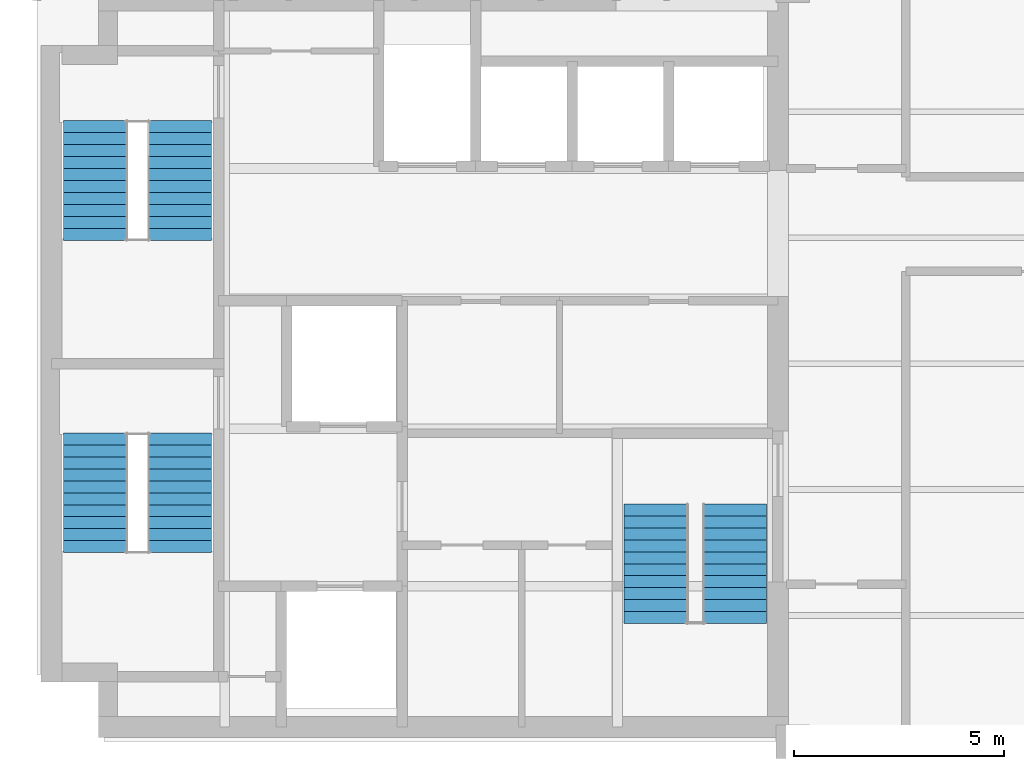
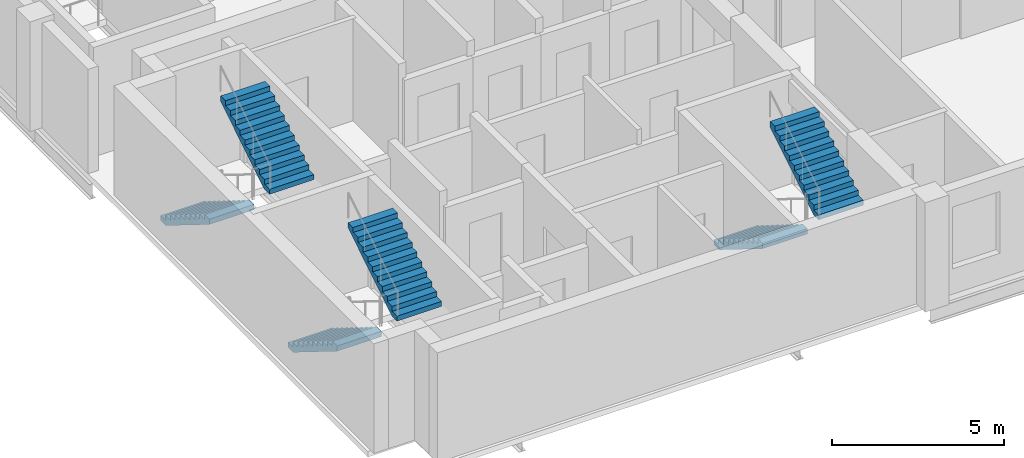
# One storey, part 5 of 6: 6 stair flights, 3 elements without a shape of their own.
"""IFC4 building model written with IfcOpenShell, lengths in metres."""

from ifc_helpers import new_model, si_unit, direction, frame, origin, place, context, subcontext, project, spatial, polyline, outline, extrude, material, type_object, element, aggregate, save


model = new_model("IFC4")

# Units and contexts
model_context = context("Model", 3, precision=1e-05, world=origin(), true_north=direction((0.0, 1.0)))
body_context = subcontext(model_context, "Body", "Model", "MODEL_VIEW")
ifc_project = project(units=[si_unit("LENGTHUNIT", "METRE"), si_unit("AREAUNIT", "SQUARE_METRE"), si_unit("VOLUMEUNIT", "CUBIC_METRE"), si_unit("PLANEANGLEUNIT", "RADIAN"), si_unit("MASSUNIT", "GRAM", prefix="KILO")], contexts=[model_context])

# Site, building, storey
site_placement = place(None, origin())
site = spatial("IfcSite", under=ifc_project, at=site_placement, CompositionType="ELEMENT")
building_placement = place(site_placement, origin())
building = spatial("IfcBuilding", under=site, at=building_placement, Name="Mawjdan Bourse Tower", CompositionType="ELEMENT")
storey_placement = place(building_placement, frame((0.0, 0.0, 250.800048828125)))
storey = spatial("IfcBuildingStorey", under=building, at=storey_placement, Name="L61", CompositionType="ELEMENT", Elevation=250.800048828125)

# Stair, stair flights
ifc_material = material(Name="Concrete C50/60", Category="concrete")
stair_type = type_object("IfcStairType", Name="STR-CORE-1500", PredefinedType="HALF_TURN_STAIR", material=ifc_material)
stair_1_placement = place(storey_placement, origin())
stair_1 = element("IfcStair", 1, at=stair_1_placement, inside=storey, type_object=stair_type, Name="L61 Exit Stair 1 (Core South-West)", PredefinedType="HALF_TURN_STAIR")
stair_flight_type = type_object("IfcStairFlightType", Name="SFL-RC-1500", PredefinedType="STRAIGHT", material=ifc_material)
stair_flight_1_placement = place(storey_placement, frame((7.389892578125, 10.35009765625, 0.0), z_axis=(0.0, 0.0, 1.0), x_axis=(0.0, -1.0, 0.0)))
stair_flight_1 = element("IfcStairFlight", 2, at=stair_flight_1_placement, type_object=stair_flight_type, Name="ST1-L61 flight 1", NumberOfRisers=11, NumberOfTreads=10, PredefinedType="STRAIGHT", RiserHeight=0.177273, TreadLength=0.285, context=body_context, shape_type="SweptSolid", body=[
    extrude(outline(polyline([(0.0, 0.0), (0.0, 0.17724609375), (0.284912109375, 0.17724609375), (0.284912109375, 0.3544921875), (0.570068359375, 0.3544921875), (0.570068359375, 0.53173828125), (0.85498046875, 0.53173828125), (0.85498046875, 0.708984375), (1.139892578125, 0.708984375), (1.139892578125, 0.886474609375), (1.425048828125, 0.886474609375), (1.425048828125, 1.063720703125), (1.7099609375, 1.063720703125), (1.7099609375, 1.240966796875), (1.9951171875, 1.240966796875), (1.9951171875, 1.418212890625), (2.280029296875, 1.418212890625), (2.280029296875, 1.595458984375), (2.56494140625, 1.595458984375), (2.56494140625, 1.772705078125), (2.85009765625, 1.772705078125), (2.85009765625, 1.949951171875), (2.85009765625, 1.58447265625), (0.302734375, 0.0), (0.0, 0.0)])), frame((0.0, 0.75, 0.0), z_axis=(0.0, -1.0, 0.0), x_axis=(1.0, 0.0, 0.0)), (0.0, 0.0, 1.0), 1.5),
])
stair_flight_2_placement = place(storey_placement, frame((9.409912109375, 7.5, 1.949951171875), z_axis=(0.0, 0.0, 1.0), x_axis=(0.0, 1.0, 0.0)))
stair_flight_2 = element("IfcStairFlight", 3, at=stair_flight_2_placement, type_object=stair_flight_type, Name="ST1-L61 flight 2", NumberOfRisers=11, NumberOfTreads=10, PredefinedType="STRAIGHT", RiserHeight=0.177273, TreadLength=0.285, context=body_context, shape_type="SweptSolid", body=[
    extrude(outline(polyline([(0.0, 0.0), (0.0, 0.17724609375), (0.284912109375, 0.17724609375), (0.284912109375, 0.3544921875), (0.570068359375, 0.3544921875), (0.570068359375, 0.53173828125), (0.85498046875, 0.53173828125), (0.85498046875, 0.708984375), (1.139892578125, 0.708984375), (1.139892578125, 0.886474609375), (1.425048828125, 0.886474609375), (1.425048828125, 1.063720703125), (1.7099609375, 1.063720703125), (1.7099609375, 1.240966796875), (1.9951171875, 1.240966796875), (1.9951171875, 1.418212890625), (2.280029296875, 1.418212890625), (2.280029296875, 1.595458984375), (2.56494140625, 1.595458984375), (2.56494140625, 1.772705078125), (2.85009765625, 1.772705078125), (2.85009765625, 1.949951171875), (2.85009765625, 1.58447265625), (0.302734375, 0.0), (0.0, 0.0)])), frame((0.0, 0.75, 0.0), z_axis=(0.0, -1.0, 0.0), x_axis=(1.0, 0.0, 0.0)), (0.0, 0.0, 1.0), 1.5),
])
aggregate(stair_1, [stair_flight_1, stair_flight_2])

stair_2_placement = place(storey_placement, origin())
stair_2 = element("IfcStair", 4, at=stair_2_placement, inside=storey, type_object=stair_type, Name="L61 Exit Stair 2 (Core North-West)", PredefinedType="HALF_TURN_STAIR")
stair_flight_3_placement = place(storey_placement, frame((7.389892578125, 17.7900390625, 0.0), z_axis=(0.0, 0.0, 1.0), x_axis=(0.0, -1.0, 0.0)))
stair_flight_3 = element("IfcStairFlight", 5, at=stair_flight_3_placement, type_object=stair_flight_type, Name="ST2-L61 flight 1", NumberOfRisers=11, NumberOfTreads=10, PredefinedType="STRAIGHT", RiserHeight=0.177273, TreadLength=0.285, context=body_context, shape_type="SweptSolid", body=[
    extrude(outline(polyline([(0.0, 0.0), (0.0, 0.17724609375), (0.284912109375, 0.17724609375), (0.284912109375, 0.3544921875), (0.570068359375, 0.3544921875), (0.570068359375, 0.53173828125), (0.85498046875, 0.53173828125), (0.85498046875, 0.708984375), (1.139892578125, 0.708984375), (1.139892578125, 0.886474609375), (1.425048828125, 0.886474609375), (1.425048828125, 1.063720703125), (1.7099609375, 1.063720703125), (1.7099609375, 1.240966796875), (1.9951171875, 1.240966796875), (1.9951171875, 1.418212890625), (2.280029296875, 1.418212890625), (2.280029296875, 1.595458984375), (2.56494140625, 1.595458984375), (2.56494140625, 1.772705078125), (2.85009765625, 1.772705078125), (2.85009765625, 1.949951171875), (2.85009765625, 1.58447265625), (0.302734375, 0.0), (0.0, 0.0)])), frame((0.0, 0.75, 0.0), z_axis=(0.0, -1.0, 0.0), x_axis=(1.0, 0.0, 0.0)), (0.0, 0.0, 1.0), 1.5),
])
stair_flight_4_placement = place(storey_placement, frame((9.409912109375, 14.93994140625, 1.949951171875), z_axis=(0.0, 0.0, 1.0), x_axis=(0.0, 1.0, 0.0)))
stair_flight_4 = element("IfcStairFlight", 6, at=stair_flight_4_placement, type_object=stair_flight_type, Name="ST2-L61 flight 2", NumberOfRisers=11, NumberOfTreads=10, PredefinedType="STRAIGHT", RiserHeight=0.177273, TreadLength=0.285, context=body_context, shape_type="SweptSolid", body=[
    extrude(outline(polyline([(0.0, 0.0), (0.0, 0.17724609375), (0.284912109375, 0.17724609375), (0.284912109375, 0.3544921875), (0.570068359375, 0.3544921875), (0.570068359375, 0.53173828125), (0.85498046875, 0.53173828125), (0.85498046875, 0.708984375), (1.139892578125, 0.708984375), (1.139892578125, 0.886474609375), (1.425048828125, 0.886474609375), (1.425048828125, 1.063720703125), (1.7099609375, 1.063720703125), (1.7099609375, 1.240966796875), (1.9951171875, 1.240966796875), (1.9951171875, 1.418212890625), (2.280029296875, 1.418212890625), (2.280029296875, 1.595458984375), (2.56494140625, 1.595458984375), (2.56494140625, 1.772705078125), (2.85009765625, 1.772705078125), (2.85009765625, 1.949951171875), (2.85009765625, 1.58447265625), (0.302734375, 0.0), (0.0, 0.0)])), frame((0.0, 0.75, 0.0), z_axis=(0.0, -1.0, 0.0), x_axis=(1.0, 0.0, 0.0)), (0.0, 0.0, 1.0), 1.5),
])
aggregate(stair_2, [stair_flight_3, stair_flight_4])

stair_3_placement = place(storey_placement, origin())
stair_3 = element("IfcStair", 7, at=stair_3_placement, inside=storey, type_object=stair_type, Name="L61 Exit Stair 7 (Core South-East)", PredefinedType="HALF_TURN_STAIR")
stair_flight_5_placement = place(storey_placement, frame((20.739990234375, 8.659912109375, 0.0), z_axis=(0.0, 0.0, 1.0), x_axis=(0.0, -1.0, 0.0)))
stair_flight_5 = element("IfcStairFlight", 8, at=stair_flight_5_placement, type_object=stair_flight_type, Name="ST7-L61 flight 1", NumberOfRisers=11, NumberOfTreads=10, PredefinedType="STRAIGHT", RiserHeight=0.177273, TreadLength=0.285, context=body_context, shape_type="SweptSolid", body=[
    extrude(outline(polyline([(0.0, 0.0), (0.0, 0.17724609375), (0.284912109375, 0.17724609375), (0.284912109375, 0.3544921875), (0.570068359375, 0.3544921875), (0.570068359375, 0.53173828125), (0.85498046875, 0.53173828125), (0.85498046875, 0.708984375), (1.139892578125, 0.708984375), (1.139892578125, 0.886474609375), (1.425048828125, 0.886474609375), (1.425048828125, 1.063720703125), (1.7099609375, 1.063720703125), (1.7099609375, 1.240966796875), (1.9951171875, 1.240966796875), (1.9951171875, 1.418212890625), (2.280029296875, 1.418212890625), (2.280029296875, 1.595458984375), (2.56494140625, 1.595458984375), (2.56494140625, 1.772705078125), (2.85009765625, 1.772705078125), (2.85009765625, 1.949951171875), (2.85009765625, 1.58447265625), (0.302734375, 0.0), (0.0, 0.0)])), frame((0.0, 0.75, 0.0), z_axis=(0.0, -1.0, 0.0), x_axis=(1.0, 0.0, 0.0)), (0.0, 0.0, 1.0), 1.5),
])
stair_flight_6_placement = place(storey_placement, frame((22.6298828125, 5.81005859375, 1.949951171875), z_axis=(0.0, 0.0, 1.0), x_axis=(0.0, 1.0, 0.0)))
stair_flight_6 = element("IfcStairFlight", 9, at=stair_flight_6_placement, type_object=stair_flight_type, Name="ST7-L61 flight 2", NumberOfRisers=11, NumberOfTreads=10, PredefinedType="STRAIGHT", RiserHeight=0.177273, TreadLength=0.285, context=body_context, shape_type="SweptSolid", body=[
    extrude(outline(polyline([(0.0, 0.0), (0.0, 0.17724609375), (0.284912109375, 0.17724609375), (0.284912109375, 0.3544921875), (0.570068359375, 0.3544921875), (0.570068359375, 0.53173828125), (0.85498046875, 0.53173828125), (0.85498046875, 0.708984375), (1.139892578125, 0.708984375), (1.139892578125, 0.886474609375), (1.425048828125, 0.886474609375), (1.425048828125, 1.063720703125), (1.7099609375, 1.063720703125), (1.7099609375, 1.240966796875), (1.9951171875, 1.240966796875), (1.9951171875, 1.418212890625), (2.280029296875, 1.418212890625), (2.280029296875, 1.595458984375), (2.56494140625, 1.595458984375), (2.56494140625, 1.772705078125), (2.85009765625, 1.772705078125), (2.85009765625, 1.949951171875), (2.85009765625, 1.58447265625), (0.302734375, 0.0), (0.0, 0.0)])), frame((0.0, 0.75, 0.0), z_axis=(0.0, -1.0, 0.0), x_axis=(1.0, 0.0, 0.0)), (0.0, 0.0, 1.0), 1.5),
])
aggregate(stair_3, [stair_flight_5, stair_flight_6])

save(model, "model.ifc")
